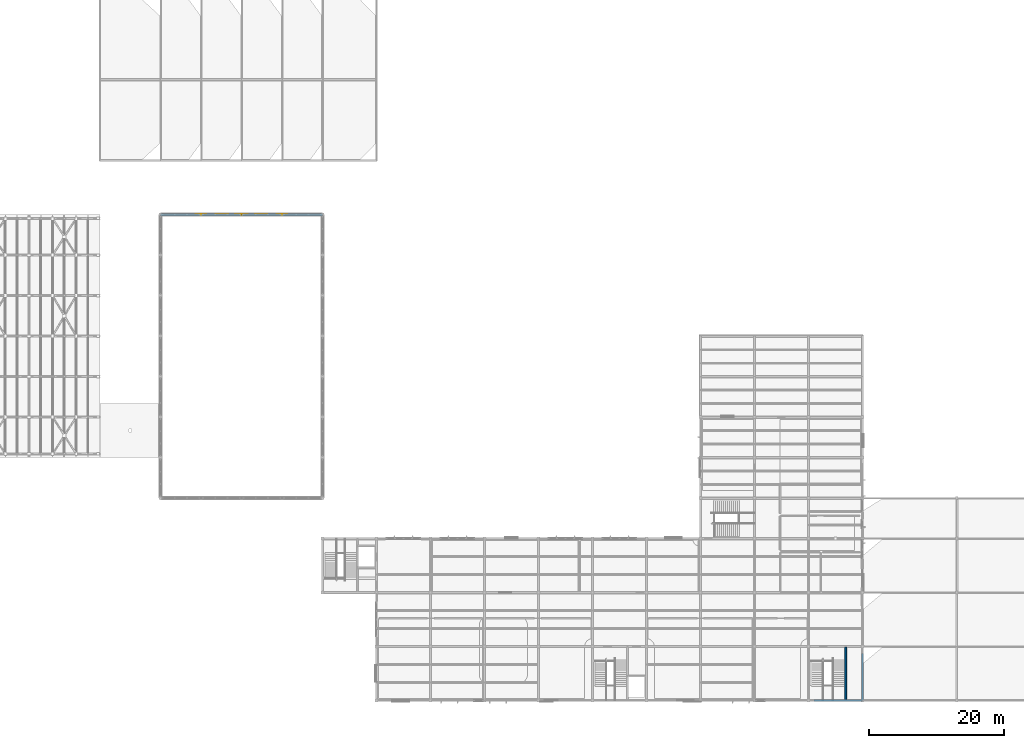
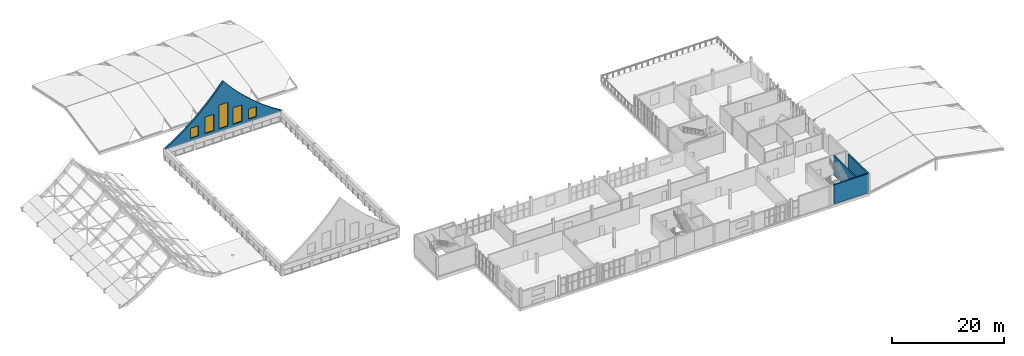
# One storey, part 38 of 45: 5 windows, 4 walls, 5 openings.
"""IFC4 building model written with IfcOpenShell, lengths in metres."""

from ifc_helpers import new_model, si_unit, direction, frame, frame_2d, origin, place, context, subcontext, project, spatial, polyline, rectangle, outline, extrude, material, layer, layer_set, type_object, element, fill, save


model = new_model("IFC4")

# Units and contexts
model_context = context("Model", 3, precision=1e-05, world=origin(), true_north=direction((0.0, 1.0)))
body_context = subcontext(model_context, "Body", "Model", "MODEL_VIEW")
ifc_project = project(units=[si_unit("LENGTHUNIT", "METRE"), si_unit("AREAUNIT", "SQUARE_METRE"), si_unit("VOLUMEUNIT", "CUBIC_METRE"), si_unit("PLANEANGLEUNIT", "RADIAN"), si_unit("MASSUNIT", "GRAM", prefix="KILO")], contexts=[model_context])

# Site, building, storey
site_placement = place(None, origin())
site = spatial("IfcSite", under=ifc_project, at=site_placement, CompositionType="ELEMENT")
building_placement = place(site_placement, origin())
building = spatial("IfcBuilding", under=site, at=building_placement, Name="Solvane Community Centre", CompositionType="ELEMENT")
storey_placement = place(building_placement, frame((0.0, 0.0, 13.800048828125)))
storey = spatial("IfcBuildingStorey", under=building, at=storey_placement, Name="L03", CompositionType="ELEMENT", Elevation=13.800048828125)

# Wall, openings, windows
ifc_material_1 = material(Name="Precast concrete C35/45", Category="concrete")
ifc_layer_1 = layer(ifc_material_1, 0.360107421875)
ifc_layer_set_1 = layer_set([ifc_layer_1], Name="Precast concrete C35/45")
wall_type_1 = type_object("IfcWallType", Name="Peaked Hall Gable Translucent-Frame Wall 360mm", PredefinedType="SOLIDWALL", material=ifc_layer_set_1)
wall_1_placement = place(storey_placement, frame((36.0, 78.0, 2.179931640625), z_axis=(0.0, 0.0, 1.0), x_axis=(1.0, 0.0, 0.0)))
wall_1 = element("IfcWall", 1, at=wall_1_placement, inside=storey, type_object=wall_type_1, Name="Exterior Wall WL-EXT-L03-0103", PredefinedType="SOLIDWALL", context=body_context, shape_type="SweptSolid", body=[
    extrude(outline(polyline([(0.0, 0.0), (24.0, 0.0), (24.0, 0.219970703125), (22.28564453125, 1.31396484375), (20.571533203125, 2.521484375), (18.857177734375, 3.854248046875), (17.142822265625, 5.32763671875), (15.428466796875, 6.960693359375), (13.71435546875, 8.779296875), (12.0, 10.820068359375), (10.28564453125, 8.779296875), (8.571533203125, 6.960693359375), (6.857177734375, 5.32763671875), (5.142822265625, 3.854248046875), (3.428466796875, 2.521484375), (1.71435546875, 1.31396484375), (0.0, 0.219970703125), (0.0, 0.0)])), frame((0.0, 0.18017578125, 0.0), z_axis=(0.0, -1.0, 0.0), x_axis=(1.0, 0.0, 0.0)), (0.0, 0.0, 1.0), 0.360107421875),
])
opening_1_placement = place(wall_1_placement, frame((5.199951171875, 0.0, 0.669921875)))
opening_1 = element("IfcOpeningElement", 2, at=opening_1_placement, cuts=wall_1, Name="Opening WN09", PredefinedType="OPENING", context=body_context, shape_type="SweptSolid", body=[
    extrude(rectangle(XDim=1.60009765625, YDim=2.199951171875, at=frame_2d((0.800048828125, 1.10009765625))), frame((0.0, 0.18994140625, 0.0), z_axis=(0.0, -1.0, 0.0), x_axis=(1.0, 0.0, 0.0)), (0.0, 0.0, 1.0), 0.380126953125),
])
opening_2_placement = place(wall_1_placement, frame((8.199951171875, 0.0, 0.669921875)))
opening_2 = element("IfcOpeningElement", 3, at=opening_2_placement, cuts=wall_1, Name="Opening WN08", PredefinedType="OPENING", context=body_context, shape_type="SweptSolid", body=[
    extrude(rectangle(XDim=1.800048828125, YDim=3.60009765625, at=frame_2d((0.89990234375, 1.800048828125))), frame((0.0, 0.18994140625, 0.0), z_axis=(0.0, -1.0, 0.0), x_axis=(1.0, 0.0, 0.0)), (0.0, 0.0, 1.0), 0.380126953125),
])
opening_3_placement = place(wall_1_placement, frame((11.10009765625, 0.0, 0.669921875)))
opening_3 = element("IfcOpeningElement", 4, at=opening_3_placement, cuts=wall_1, Name="Opening WN07", PredefinedType="OPENING", context=body_context, shape_type="SweptSolid", body=[
    extrude(rectangle(XDim=1.800048828125, YDim=5.199951171875, at=frame_2d((0.89990234375, 2.60009765625))), frame((0.0, 0.18994140625, 0.0), z_axis=(0.0, -1.0, 0.0), x_axis=(1.0, 0.0, 0.0)), (0.0, 0.0, 1.0), 0.380126953125),
])
opening_4_placement = place(wall_1_placement, frame((14.0, 0.0, 0.669921875)))
opening_4 = element("IfcOpeningElement", 5, at=opening_4_placement, cuts=wall_1, Name="Opening WN08", PredefinedType="OPENING", context=body_context, shape_type="SweptSolid", body=[
    extrude(rectangle(XDim=1.800048828125, YDim=3.60009765625, at=frame_2d((0.89990234375, 1.800048828125))), frame((0.0, 0.18994140625, 0.0), z_axis=(0.0, -1.0, 0.0), x_axis=(1.0, 0.0, 0.0)), (0.0, 0.0, 1.0), 0.380126953125),
])
opening_5_placement = place(wall_1_placement, frame((17.199951171875, 0.0, 0.669921875)))
opening_5 = element("IfcOpeningElement", 6, at=opening_5_placement, cuts=wall_1, Name="Opening WN09", PredefinedType="OPENING", context=body_context, shape_type="SweptSolid", body=[
    extrude(rectangle(XDim=1.60009765625, YDim=2.199951171875, at=frame_2d((0.800048828125, 1.10009765625))), frame((0.0, 0.18994140625, 0.0), z_axis=(0.0, -1.0, 0.0), x_axis=(1.0, 0.0, 0.0)), (0.0, 0.0, 1.0), 0.380126953125),
])
ifc_material_2 = material(Name="Translucent channel glass", Category="glass")
window_type_1 = type_object("IfcWindowType", Name="Gable Channel-Glass Eave Lancet 1600x2200", PartitioningType="SINGLE_PANEL", PredefinedType="WINDOW", material=ifc_material_2)
window_1_placement = place(opening_1_placement, origin())
window_1 = element("IfcWindow", 7, at=window_1_placement, inside=storey, type_object=window_type_1, Name="L03-W034", OverallHeight=2.199951171875, OverallWidth=1.60009765625, PartitioningType="SINGLE_PANEL", PredefinedType="WINDOW", context=body_context, shape_type="SweptSolid", body=[
    extrude(rectangle(XDim=1.60009765625, YDim=2.199951171875, at=frame_2d((0.800048828125, 1.10009765625))), frame((0.0, 0.030029296875, 0.0), z_axis=(0.0, -1.0, 0.0), x_axis=(1.0, 0.0, 0.0)), (0.0, 0.0, 1.0), 0.06005859375),
])
fill(opening_1, window_1)
window_2_placement = place(opening_5_placement, origin())
window_2 = element("IfcWindow", 8, at=window_2_placement, inside=storey, type_object=window_type_1, Name="L03-W038", OverallHeight=2.199951171875, OverallWidth=1.60009765625, PartitioningType="SINGLE_PANEL", PredefinedType="WINDOW", context=body_context, shape_type="SweptSolid", body=[
    extrude(rectangle(XDim=1.60009765625, YDim=2.199951171875, at=frame_2d((0.800048828125, 1.10009765625))), frame((0.0, 0.030029296875, 0.0), z_axis=(0.0, -1.0, 0.0), x_axis=(1.0, 0.0, 0.0)), (0.0, 0.0, 1.0), 0.06005859375),
])
fill(opening_5, window_2)
window_type_2 = type_object("IfcWindowType", Name="Gable Channel-Glass Mid Lancet 1800x3600", PartitioningType="DOUBLE_PANEL_VERTICAL", PredefinedType="WINDOW", material=ifc_material_2)
window_3_placement = place(opening_2_placement, origin())
window_3 = element("IfcWindow", 9, at=window_3_placement, inside=storey, type_object=window_type_2, Name="L03-W035", OverallHeight=3.60009765625, OverallWidth=1.800048828125, PartitioningType="DOUBLE_PANEL_VERTICAL", PredefinedType="WINDOW", context=body_context, shape_type="SweptSolid", body=[
    extrude(rectangle(XDim=1.800048828125, YDim=3.60009765625, at=frame_2d((0.89990234375, 1.800048828125))), frame((0.0, 0.030029296875, 0.0), z_axis=(0.0, -1.0, 0.0), x_axis=(1.0, 0.0, 0.0)), (0.0, 0.0, 1.0), 0.06005859375),
])
fill(opening_2, window_3)
window_4_placement = place(opening_4_placement, origin())
window_4 = element("IfcWindow", 10, at=window_4_placement, inside=storey, type_object=window_type_2, Name="L03-W037", OverallHeight=3.60009765625, OverallWidth=1.800048828125, PartitioningType="DOUBLE_PANEL_VERTICAL", PredefinedType="WINDOW", context=body_context, shape_type="SweptSolid", body=[
    extrude(rectangle(XDim=1.800048828125, YDim=3.60009765625, at=frame_2d((0.89990234375, 1.800048828125))), frame((0.0, 0.030029296875, 0.0), z_axis=(0.0, -1.0, 0.0), x_axis=(1.0, 0.0, 0.0)), (0.0, 0.0, 1.0), 0.06005859375),
])
fill(opening_4, window_4)
window_type_3 = type_object("IfcWindowType", Name="Gable Channel-Glass Tall Lancet 1800x5200", PartitioningType="TRIPLE_PANEL_VERTICAL", PredefinedType="WINDOW", material=ifc_material_2)
window_5_placement = place(opening_3_placement, origin())
window_5 = element("IfcWindow", 11, at=window_5_placement, inside=storey, type_object=window_type_3, Name="L03-W036", OverallHeight=5.199951171875, OverallWidth=1.800048828125, PartitioningType="TRIPLE_PANEL_VERTICAL", PredefinedType="WINDOW", context=body_context, shape_type="SweptSolid", body=[
    extrude(rectangle(XDim=1.800048828125, YDim=5.199951171875, at=frame_2d((0.89990234375, 2.60009765625))), frame((0.0, 0.030029296875, 0.0), z_axis=(0.0, -1.0, 0.0), x_axis=(1.0, 0.0, 0.0)), (0.0, 0.0, 1.0), 0.06005859375),
])
fill(opening_3, window_5)

# Walls
ifc_material_3 = material(Name="Concrete C35/45", Category="concrete")
ifc_layer_2 = layer(ifc_material_3, 0.300048828125)
ifc_layer_set_2 = layer_set([ifc_layer_2], Name="Concrete C35/45")
wall_type_2 = type_object("IfcWallType", Name="RC Exterior Core Strip Wall 300mm [70x33dm]", PredefinedType="SOLIDWALL", material=ifc_layer_set_2)
wall_2_placement = place(storey_placement, frame((140.0, 13.0, 0.0), z_axis=(0.0, 0.0, 1.0), x_axis=(0.0, -1.0, 0.0)))
element("IfcWall", 12, at=wall_2_placement, inside=storey, type_object=wall_type_2, Name="Exterior Wall WL-EXT-L03-0155", PredefinedType="SOLIDWALL", context=body_context, shape_type="SweptSolid", body=[
    extrude(rectangle(XDim=7.0, YDim=0.300048828125, at=frame_2d((3.5, 0.0))), origin(), (0.0, 0.0, 1.0), 4.199951171875),
])
ifc_layer_3 = layer(ifc_material_3, 0.300048828125)
ifc_layer_set_3 = layer_set([ifc_layer_3], Name="Concrete C35/45")
wall_type_3 = type_object("IfcWallType", Name="RC Exterior Core Strip Wall 300mm [72x34dm]", PredefinedType="SOLIDWALL", material=ifc_layer_set_3)
wall_3_placement = place(storey_placement, frame((140.0, 6.0, 0.0), z_axis=(0.0, 0.0, 1.0), x_axis=(-1.0, 0.0, 0.0)))
element("IfcWall", 13, at=wall_3_placement, inside=storey, type_object=wall_type_3, Name="Exterior Wall WL-EXT-L03-0137", PredefinedType="SOLIDWALL", context=body_context, shape_type="SweptSolid", body=[
    extrude(rectangle(XDim=7.199951171875, YDim=0.300048828125, at=frame_2d((3.60009765625, 0.0))), origin(), (0.0, 0.0, 1.0), 4.199951171875),
])
ifc_layer_4 = layer(ifc_material_3, 0.25)
ifc_layer_set_4 = layer_set([ifc_layer_4], Name="Concrete C35/45")
wall_type_4 = type_object("IfcWallType", Name="RC Lift Shaft Wall 250mm [78x42dm]", PredefinedType="SHEAR", material=ifc_layer_set_4)
wall_4_placement = place(storey_placement, frame((137.52001953125, 6.10009765625, 0.0), z_axis=(0.0, 0.0, 1.0), x_axis=(0.0, 1.0, 0.0)))
element("IfcWall", 14, at=wall_4_placement, inside=storey, type_object=wall_type_4, Name="Interior Wall WL-INT-L03-0068", PredefinedType="SHEAR", context=body_context, shape_type="SweptSolid", body=[
    extrude(rectangle(XDim=7.7998046875, YDim=0.25, at=frame_2d((3.89990234375, 0.0))), origin(), (0.0, 0.0, 1.0), 4.199951171875),
])

save(model, "model.ifc")
